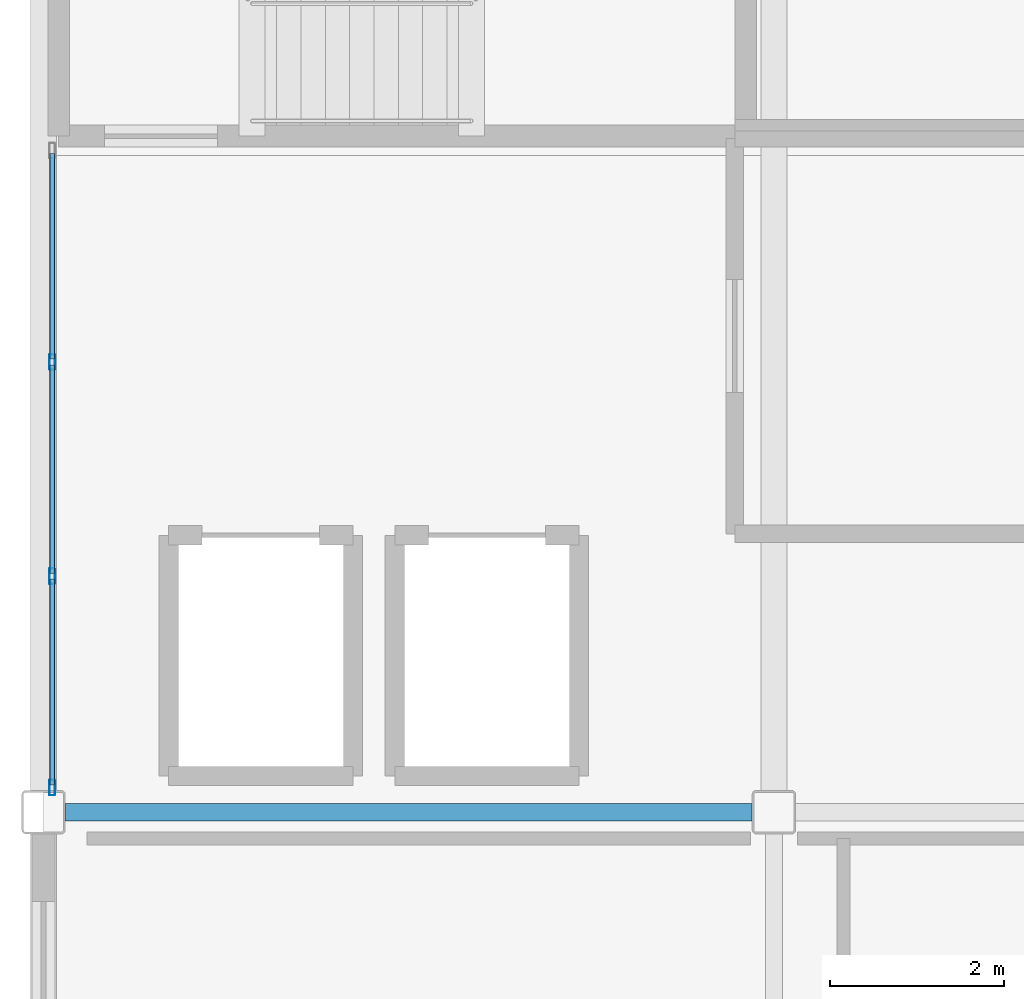
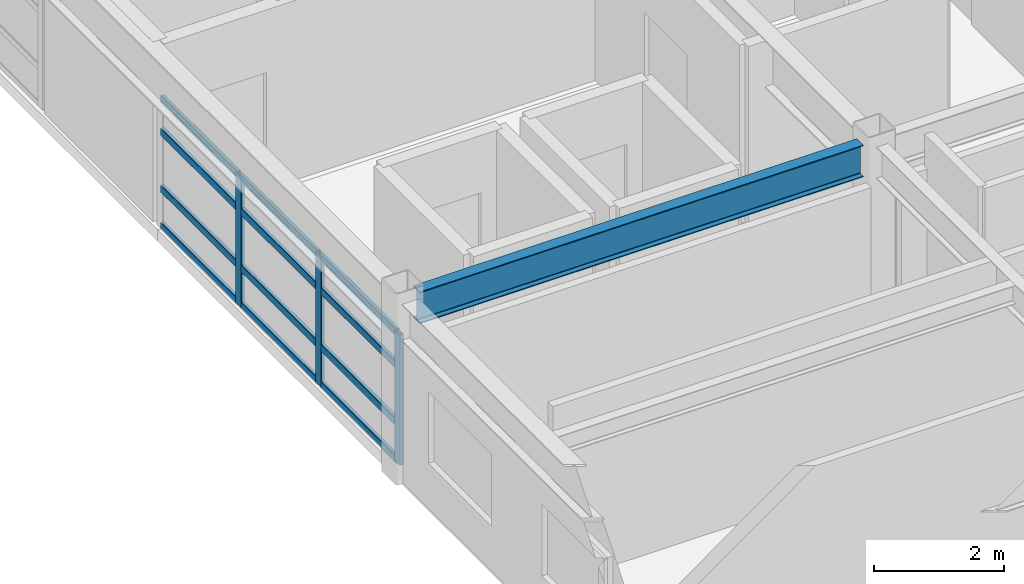
# One storey, part 10 of 33: 15 members, 1 beam, 1 element without a shape of its own.
"""IFC4 building model written with IfcOpenShell, lengths in metres."""

from ifc_helpers import new_model, si_unit, direction, frame, origin, origin_2d, place, context, subcontext, project, spatial, hollow_rectangle, i_section, extrude, material, layer, layer_set, material_profile, profile_set, type_object, element, aggregate, save


model = new_model("IFC4")

# Units and contexts
model_context = context("Model", 3, precision=1e-05, world=origin(), true_north=direction((0.0, 1.0)))
body_context = subcontext(model_context, "Body", "Model", "MODEL_VIEW")
ifc_project = project(units=[si_unit("LENGTHUNIT", "METRE"), si_unit("AREAUNIT", "SQUARE_METRE"), si_unit("VOLUMEUNIT", "CUBIC_METRE"), si_unit("PLANEANGLEUNIT", "RADIAN"), si_unit("MASSUNIT", "GRAM", prefix="KILO")], contexts=[model_context])

# Site, building, storey
site_placement = place(None, origin())
site = spatial("IfcSite", under=ifc_project, at=site_placement, CompositionType="ELEMENT")
building_placement = place(site_placement, origin())
building = spatial("IfcBuilding", under=site, at=building_placement, Name="Kazehara Bluff Congress Hotel", CompositionType="ELEMENT")
storey_placement = place(building_placement, frame((0.0, 0.0, 39.0)))
storey = spatial("IfcBuildingStorey", under=building, at=storey_placement, Name="L09", CompositionType="ELEMENT", Elevation=39.0)

# Curtain wall, members
ifc_material_1 = material(Name="Anodised aluminium", Category="aluminium")
ifc_layer = layer(ifc_material_1, 0.159912109375)
ifc_layer_set = layer_set([ifc_layer], Name="Anodised aluminium")
curtain_wall_type = type_object("IfcCurtainWallType", Name="TP-CW-190", PredefinedType="NOTDEFINED", material=ifc_layer_set)
curtain_wall_placement = place(storey_placement, origin())
curtain_wall = element("IfcCurtainWall", 1, at=curtain_wall_placement, inside=storey, type_object=curtain_wall_type, Name="L09 curtain wall CW-190 CW-ENC-V5-L09-14380-4484", PredefinedType="NOTDEFINED")
ifc_material_2 = material(Name="Anodised aluminium", Category="aluminium")
ifc_material_profile_1 = material_profile(ifc_material_2, hollow_rectangle(XDim=0.06494140625, YDim=0.179931640625, WallThickness=0.00390625, InnerFilletRadius=0.00390625, OuterFilletRadius=0.008056640625, at=origin_2d()))
ifc_profile_set_1 = profile_set([ifc_material_profile_1], Name="Anodised aluminium")
member_type_1 = type_object("IfcMemberType", Name="TP-CWM-02", PredefinedType="MULLION", material=ifc_profile_set_1)
member_1_placement = place(storey_placement, frame((143.800048828125, 41.1826171875, 0.0), z_axis=(0.0, 0.0, 1.0), x_axis=(-1.0, 0.0, 0.0)))
member_1 = element("IfcMember", 2, at=member_1_placement, type_object=member_type_1, Name="CW-190 mullion 1", PredefinedType="MULLION", context=body_context, shape_type="SweptSolid", body=[
    extrude(hollow_rectangle(XDim=0.06494140625, YDim=0.179931640625, WallThickness=0.00390625, InnerFilletRadius=0.00390625, OuterFilletRadius=0.008056640625, at=origin_2d()), origin(), (0.0, 0.0, 1.0), 2.455078125),
])
member_2_placement = place(storey_placement, frame((143.800048828125, 43.61328125, 0.0), z_axis=(0.0, 0.0, 1.0), x_axis=(-1.0, 0.0, 0.0)))
member_2 = element("IfcMember", 3, at=member_2_placement, type_object=member_type_1, Name="CW-190 mullion 2", PredefinedType="MULLION", context=body_context, shape_type="SweptSolid", body=[
    extrude(hollow_rectangle(XDim=0.06494140625, YDim=0.179931640625, WallThickness=0.00390625, InnerFilletRadius=0.00390625, OuterFilletRadius=0.008056640625, at=origin_2d()), origin(), (0.0, 0.0, 1.0), 2.455078125),
])
member_3_placement = place(storey_placement, frame((143.800048828125, 46.07666015625, 0.0), z_axis=(0.0, 0.0, 1.0), x_axis=(-1.0, 0.0, 0.0)))
member_3 = element("IfcMember", 4, at=member_3_placement, type_object=member_type_1, Name="CW-190 mullion 3", PredefinedType="MULLION", context=body_context, shape_type="SweptSolid", body=[
    extrude(hollow_rectangle(XDim=0.06494140625, YDim=0.179931640625, WallThickness=0.00390625, InnerFilletRadius=0.00390625, OuterFilletRadius=0.008056640625, at=origin_2d()), origin(), (0.0, 0.0, 1.0), 2.455078125),
])
ifc_material_3 = material(Name="Anodised aluminium", Category="aluminium")
ifc_material_profile_2 = material_profile(ifc_material_3, hollow_rectangle(XDim=0.06494140625, YDim=0.139892578125, WallThickness=0.00390625, InnerFilletRadius=0.00390625, OuterFilletRadius=0.008056640625, at=origin_2d()))
ifc_profile_set_2 = profile_set([ifc_material_profile_2], Name="Anodised aluminium")
member_type_2 = type_object("IfcMemberType", Name="TP-CWT-02", PredefinedType="USERDEFINED", material=ifc_profile_set_2)
member_4_placement = place(storey_placement, frame((143.800048828125, 41.215087890625, 0.032470703125), z_axis=(0.0, 1.0, 0.0), x_axis=(-1.0, 0.0, 0.0)))
member_4 = element("IfcMember", 5, at=member_4_placement, type_object=member_type_2, Name="CW-190 transom 1.1", ObjectType="TRANSOM", PredefinedType="USERDEFINED", context=body_context, shape_type="SweptSolid", body=[
    extrude(hollow_rectangle(XDim=0.06494140625, YDim=0.139892578125, WallThickness=0.00390625, InnerFilletRadius=0.00390625, OuterFilletRadius=0.008056640625, at=origin_2d()), origin(), (0.0, 0.0, 1.0), 2.36572265625),
])
member_5_placement = place(storey_placement, frame((143.800048828125, 41.215087890625, 0.735107421875), z_axis=(0.0, 1.0, 0.0), x_axis=(-1.0, 0.0, 0.0)))
member_5 = element("IfcMember", 6, at=member_5_placement, type_object=member_type_2, Name="CW-190 transom 1.2", ObjectType="TRANSOM", PredefinedType="USERDEFINED", context=body_context, shape_type="SweptSolid", body=[
    extrude(hollow_rectangle(XDim=0.06494140625, YDim=0.139892578125, WallThickness=0.00390625, InnerFilletRadius=0.00390625, OuterFilletRadius=0.008056640625, at=origin_2d()), origin(), (0.0, 0.0, 1.0), 2.36572265625),
])
member_6_placement = place(storey_placement, frame((143.800048828125, 41.215087890625, 1.804931640625), z_axis=(0.0, 1.0, 0.0), x_axis=(-1.0, 0.0, 0.0)))
member_6 = element("IfcMember", 7, at=member_6_placement, type_object=member_type_2, Name="CW-190 transom 1.3", ObjectType="TRANSOM", PredefinedType="USERDEFINED", context=body_context, shape_type="SweptSolid", body=[
    extrude(hollow_rectangle(XDim=0.06494140625, YDim=0.139892578125, WallThickness=0.00390625, InnerFilletRadius=0.00390625, OuterFilletRadius=0.008056640625, at=origin_2d()), origin(), (0.0, 0.0, 1.0), 2.36572265625),
])
member_7_placement = place(storey_placement, frame((143.800048828125, 41.215087890625, 2.422607421875), z_axis=(0.0, 1.0, 0.0), x_axis=(-1.0, 0.0, 0.0)))
member_7 = element("IfcMember", 8, at=member_7_placement, type_object=member_type_2, Name="CW-190 transom 1.4", ObjectType="TRANSOM", PredefinedType="USERDEFINED", context=body_context, shape_type="SweptSolid", body=[
    extrude(hollow_rectangle(XDim=0.06494140625, YDim=0.139892578125, WallThickness=0.00390625, InnerFilletRadius=0.00390625, OuterFilletRadius=0.008056640625, at=origin_2d()), origin(), (0.0, 0.0, 1.0), 2.36572265625),
])
member_8_placement = place(storey_placement, frame((143.800048828125, 43.645751953125, 0.032470703125), z_axis=(0.0, 1.0, 0.0), x_axis=(-1.0, 0.0, 0.0)))
member_8 = element("IfcMember", 9, at=member_8_placement, type_object=member_type_2, Name="CW-190 transom 2.1", ObjectType="TRANSOM", PredefinedType="USERDEFINED", context=body_context, shape_type="SweptSolid", body=[
    extrude(hollow_rectangle(XDim=0.06494140625, YDim=0.139892578125, WallThickness=0.00390625, InnerFilletRadius=0.00390625, OuterFilletRadius=0.008056640625, at=origin_2d()), origin(), (0.0, 0.0, 1.0), 2.3984375),
])
member_9_placement = place(storey_placement, frame((143.800048828125, 43.645751953125, 0.735107421875), z_axis=(0.0, 1.0, 0.0), x_axis=(-1.0, 0.0, 0.0)))
member_9 = element("IfcMember", 10, at=member_9_placement, type_object=member_type_2, Name="CW-190 transom 2.2", ObjectType="TRANSOM", PredefinedType="USERDEFINED", context=body_context, shape_type="SweptSolid", body=[
    extrude(hollow_rectangle(XDim=0.06494140625, YDim=0.139892578125, WallThickness=0.00390625, InnerFilletRadius=0.00390625, OuterFilletRadius=0.008056640625, at=origin_2d()), origin(), (0.0, 0.0, 1.0), 2.3984375),
])
member_10_placement = place(storey_placement, frame((143.800048828125, 43.645751953125, 1.804931640625), z_axis=(0.0, 1.0, 0.0), x_axis=(-1.0, 0.0, 0.0)))
member_10 = element("IfcMember", 11, at=member_10_placement, type_object=member_type_2, Name="CW-190 transom 2.3", ObjectType="TRANSOM", PredefinedType="USERDEFINED", context=body_context, shape_type="SweptSolid", body=[
    extrude(hollow_rectangle(XDim=0.06494140625, YDim=0.139892578125, WallThickness=0.00390625, InnerFilletRadius=0.00390625, OuterFilletRadius=0.008056640625, at=origin_2d()), origin(), (0.0, 0.0, 1.0), 2.3984375),
])
member_11_placement = place(storey_placement, frame((143.800048828125, 43.645751953125, 2.422607421875), z_axis=(0.0, 1.0, 0.0), x_axis=(-1.0, 0.0, 0.0)))
member_11 = element("IfcMember", 12, at=member_11_placement, type_object=member_type_2, Name="CW-190 transom 2.4", ObjectType="TRANSOM", PredefinedType="USERDEFINED", context=body_context, shape_type="SweptSolid", body=[
    extrude(hollow_rectangle(XDim=0.06494140625, YDim=0.139892578125, WallThickness=0.00390625, InnerFilletRadius=0.00390625, OuterFilletRadius=0.008056640625, at=origin_2d()), origin(), (0.0, 0.0, 1.0), 2.3984375),
])
member_12_placement = place(storey_placement, frame((143.800048828125, 46.109130859375, 0.032470703125), z_axis=(0.0, 1.0, 0.0), x_axis=(-1.0, 0.0, 0.0)))
member_12 = element("IfcMember", 13, at=member_12_placement, type_object=member_type_2, Name="CW-190 transom 3.1", ObjectType="TRANSOM", PredefinedType="USERDEFINED", context=body_context, shape_type="SweptSolid", body=[
    extrude(hollow_rectangle(XDim=0.06494140625, YDim=0.139892578125, WallThickness=0.00390625, InnerFilletRadius=0.00390625, OuterFilletRadius=0.008056640625, at=origin_2d()), origin(), (0.0, 0.0, 1.0), 2.365966796875),
])
member_13_placement = place(storey_placement, frame((143.800048828125, 46.109130859375, 0.735107421875), z_axis=(0.0, 1.0, 0.0), x_axis=(-1.0, 0.0, 0.0)))
member_13 = element("IfcMember", 14, at=member_13_placement, type_object=member_type_2, Name="CW-190 transom 3.2", ObjectType="TRANSOM", PredefinedType="USERDEFINED", context=body_context, shape_type="SweptSolid", body=[
    extrude(hollow_rectangle(XDim=0.06494140625, YDim=0.139892578125, WallThickness=0.00390625, InnerFilletRadius=0.00390625, OuterFilletRadius=0.008056640625, at=origin_2d()), origin(), (0.0, 0.0, 1.0), 2.365966796875),
])
member_14_placement = place(storey_placement, frame((143.800048828125, 46.109130859375, 1.804931640625), z_axis=(0.0, 1.0, 0.0), x_axis=(-1.0, 0.0, 0.0)))
member_14 = element("IfcMember", 15, at=member_14_placement, type_object=member_type_2, Name="CW-190 transom 3.3", ObjectType="TRANSOM", PredefinedType="USERDEFINED", context=body_context, shape_type="SweptSolid", body=[
    extrude(hollow_rectangle(XDim=0.06494140625, YDim=0.139892578125, WallThickness=0.00390625, InnerFilletRadius=0.00390625, OuterFilletRadius=0.008056640625, at=origin_2d()), origin(), (0.0, 0.0, 1.0), 2.365966796875),
])
member_15_placement = place(storey_placement, frame((143.800048828125, 46.109130859375, 2.422607421875), z_axis=(0.0, 1.0, 0.0), x_axis=(-1.0, 0.0, 0.0)))
member_15 = element("IfcMember", 16, at=member_15_placement, type_object=member_type_2, Name="CW-190 transom 3.4", ObjectType="TRANSOM", PredefinedType="USERDEFINED", context=body_context, shape_type="SweptSolid", body=[
    extrude(hollow_rectangle(XDim=0.06494140625, YDim=0.139892578125, WallThickness=0.00390625, InnerFilletRadius=0.00390625, OuterFilletRadius=0.008056640625, at=origin_2d()), origin(), (0.0, 0.0, 1.0), 2.365966796875),
])
aggregate(curtain_wall, [member_1, member_2, member_3, member_4, member_5, member_6, member_7, member_8, member_9, member_10, member_11, member_12, member_13, member_14, member_15])

# Beam
ifc_material_4 = material(Name="Steel SN490B", Category="steel")
ifc_material_profile_3 = material_profile(ifc_material_4, i_section(OverallWidth=0.199951171875, OverallDepth=0.60009765625, WebThickness=0.010986328125, FlangeThickness=0.01708984375, FilletRadius=0.012939453125, at=origin_2d()))
ifc_profile_set_3 = profile_set([ifc_material_profile_3], Name="Steel SN490B")
beam_type = type_object("IfcBeamType", Name="TP-G-02", PredefinedType="BEAM", material=ifc_profile_set_3)
beam_placement = place(storey_placement, frame((143.949951171875, 40.89990234375, 3.080078125), z_axis=(1.0, 0.0, 0.0), x_axis=(0.0, 1.0, 0.0)))
element("IfcBeam", 17, at=beam_placement, inside=storey, type_object=beam_type, Name="L09 girder G-02 48", PredefinedType="BEAM", context=body_context, shape_type="SweptSolid", body=[
    extrude(i_section(OverallWidth=0.199951171875, OverallDepth=0.60009765625, WebThickness=0.010986328125, FlangeThickness=0.01708984375, FilletRadius=0.012939453125, at=origin_2d()), origin(), (0.0, 0.0, 1.0), 7.900146484375),
])

save(model, "model.ifc")
